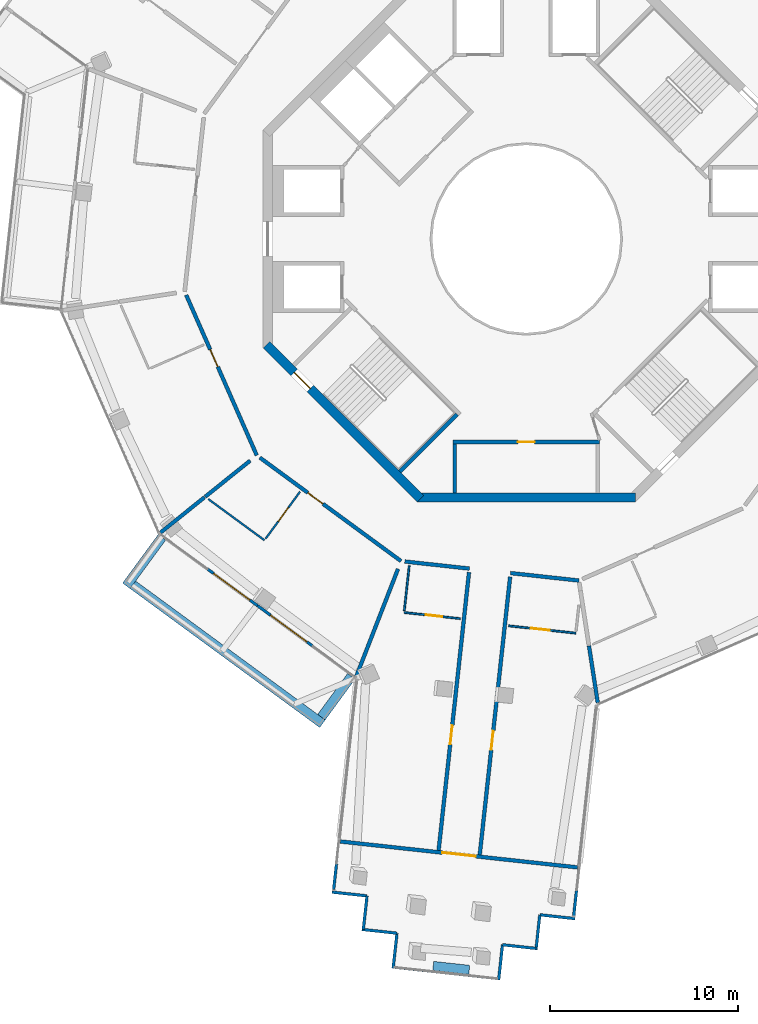
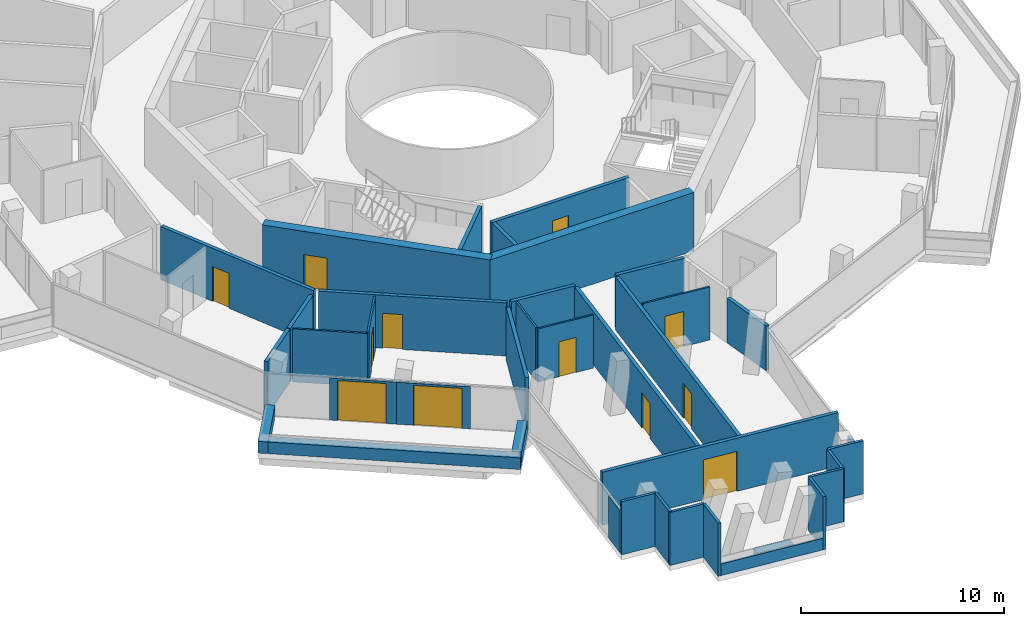
# One storey, part 15 of 22: 38 walls, 12 doors, 12 openings.
"""IFC4 building model written with IfcOpenShell, lengths in metres."""

from ifc_helpers import new_model, si_unit, direction, frame, frame_2d, origin, place, context, subcontext, project, spatial, rectangle, extrude, material, layer, layer_set, type_object, element, fill, save


model = new_model("IFC4")

# Units and contexts
model_context = context("Model", 3, precision=1e-05, world=origin(), true_north=direction((0.0, 1.0)))
body_context = subcontext(model_context, "Body", "Model", "MODEL_VIEW")
ifc_project = project(units=[si_unit("LENGTHUNIT", "METRE"), si_unit("AREAUNIT", "SQUARE_METRE"), si_unit("VOLUMEUNIT", "CUBIC_METRE"), si_unit("PLANEANGLEUNIT", "RADIAN"), si_unit("MASSUNIT", "GRAM", prefix="KILO")], contexts=[model_context])

# Site, building, storey
site_placement = place(None, origin())
site = spatial("IfcSite", under=ifc_project, at=site_placement, CompositionType="ELEMENT")
building_placement = place(site_placement, origin())
building = spatial("IfcBuilding", under=site, at=building_placement, Name="Verdalira Terraces Hotel", CompositionType="ELEMENT")
storey_placement = place(building_placement, frame((0.0, 0.0, 252.5)))
storey = spatial("IfcBuildingStorey", under=building, at=storey_placement, Name="L62", CompositionType="ELEMENT", Elevation=252.5)

# Walls
ifc_material_1 = material(Name="Concrete C40", Category="concrete")
ifc_layer_1 = layer(ifc_material_1, 0.5)
ifc_layer_set_1 = layer_set([ifc_layer_1], Name="Balcony planter trough with tree")
wall_type_1 = type_object("IfcWallType", Name="Balcony planter trough with tree", PredefinedType="SOLIDWALL", material=ifc_layer_set_1)
wall_1_placement = place(storey_placement, frame((-19.382324, -15.871582, 0.0), z_axis=(0.0, 0.0, 1.0), x_axis=(-0.591171745, -0.806545701, 0.0)))
element("IfcWall", 1, at=wall_1_placement, inside=storey, type_object=wall_type_1, Name="Balcony planter", PredefinedType="SOLIDWALL", context=body_context, shape_type="SweptSolid", body=[
    extrude(rectangle(XDim=3.198975, YDim=0.5, at=frame_2d((1.599609, 0.0))), origin(), (0.0, 0.0, 1.0), 0.699951),
])
wall_2_placement = place(storey_placement, frame((-20.924072, -18.397705, 0.0), z_axis=(0.0, 0.0, 1.0), x_axis=(0.80655151, -0.59116382, 0.0)))
element("IfcWall", 2, at=wall_2_placement, inside=storey, type_object=wall_type_1, Name="Balcony planter", PredefinedType="SOLIDWALL", context=body_context, shape_type="SweptSolid", body=[
    extrude(rectangle(XDim=12.500244, YDim=0.5, at=frame_2d((6.25, 0.0))), origin(), (0.0, 0.0, 1.0), 0.699951),
])
wall_3_placement = place(storey_placement, frame((-10.895996, -25.437988, 0.0), z_axis=(0.0, 0.0, 1.0), x_axis=(0.591163637, 0.806551644, 0.0)))
element("IfcWall", 3, at=wall_3_placement, inside=storey, type_object=wall_type_1, Name="Balcony planter", PredefinedType="SOLIDWALL", context=body_context, shape_type="SweptSolid", body=[
    extrude(rectangle(XDim=2.69873, YDim=0.5, at=frame_2d((1.349365, 0.0))), origin(), (0.0, 0.0, 1.0), 0.699951),
])
ifc_material_2 = material(Name="Moisture-resistant gypsum board partition")
ifc_layer_2 = layer(ifc_material_2, 0.10009765625)
ifc_layer_set_2 = layer_set([ifc_layer_2], Name="Bathroom partition 100 mm")
wall_type_2 = type_object("IfcWallType", Name="Bathroom partition 100 mm", PredefinedType="PARTITIONING", material=ifc_layer_set_2)
wall_4_placement = place(storey_placement, frame((-13.92627, -16.025635, 0.0), z_axis=(0.0, 0.0, 1.0), x_axis=(-0.806587268, 0.59111503, 0.0)))
element("IfcWall", 4, at=wall_4_placement, inside=storey, type_object=wall_type_2, Name="Bathroom partition", PredefinedType="PARTITIONING", context=body_context, shape_type="SweptSolid", body=[
    extrude(rectangle(XDim=3.703857, YDim=0.100098, at=frame_2d((1.852051, 0.0))), origin(), (0.0, 0.0, 1.0), 3.189941),
])

# Wall, opening, door
wall_5_placement = place(storey_placement, frame((-13.867188, -15.945068, 0.0), z_axis=(0.0, 0.0, 1.0), x_axis=(0.591155368, 0.806557704, 0.0)))
wall_5 = element("IfcWall", 5, at=wall_5_placement, inside=storey, type_object=wall_type_2, Name="Bathroom partition", PredefinedType="PARTITIONING", context=body_context, shape_type="SweptSolid", body=[
    extrude(rectangle(XDim=3.099854, YDim=0.100098, at=frame_2d((1.549805, 0.0))), origin(), (0.0, 0.0, 1.0), 3.189941),
])
opening_1_placement = place(wall_5_placement, frame((1.149902, 0.0, 0.0)))
opening_1 = element("IfcOpeningElement", 6, at=opening_1_placement, cuts=wall_5, Name="Opening L62-109", PredefinedType="OPENING", context=body_context, shape_type="SweptSolid", body=[
    extrude(rectangle(XDim=0.899902, YDim=2.100098, at=frame_2d((0.449951, 1.050049))), frame((0.0, 0.060059, 0.0), z_axis=(0.0, -1.0, 0.0), x_axis=(1.0, 0.0, 0.0)), (0.0, 0.0, 1.0), 0.120117),
])
ifc_material_3 = material(Name="Timber door", Category="wood")
door_type_1 = type_object("IfcDoorType", Name="Bathroom door 900 x 2100", OperationType="NOTDEFINED", PredefinedType="DOOR", material=ifc_material_3)
door_1_placement = place(opening_1_placement, origin())
door_1 = element("IfcDoor", 7, at=door_1_placement, inside=storey, type_object=door_type_1, Name="Bathroom door 6204", OperationType="SINGLE_SWING_LEFT", OverallHeight=2.10009765625, OverallWidth=0.89990234375, PredefinedType="DOOR", context=body_context, shape_type="SweptSolid", body=[
    extrude(rectangle(XDim=0.899902, YDim=2.100098, at=frame_2d((0.449951, 1.050049))), frame((0.0, 0.024902, 0.0), z_axis=(0.0, -1.0, 0.0), x_axis=(1.0, 0.0, 0.0)), (0.0, 0.0, 1.0), 0.050049),
])
fill(opening_1, door_1)

# Wall
wall_6_placement = place(storey_placement, frame((-6.487305, -19.770264, 0.0), z_axis=(0.0, 0.0, 1.0), x_axis=(0.108644914, 0.994080622, 0.0)))
element("IfcWall", 8, at=wall_6_placement, inside=storey, type_object=wall_type_2, Name="Bathroom partition", PredefinedType="PARTITIONING", context=body_context, shape_type="SweptSolid", body=[
    extrude(rectangle(XDim=2.399902, YDim=0.100098, at=frame_2d((1.199951, 0.0))), origin(), (0.0, 0.0, 1.0), 3.189941),
])

# Wall, opening, door
wall_7_placement = place(storey_placement, frame((-6.498291, -19.869629, 0.0), z_axis=(0.0, 0.0, 1.0), x_axis=(0.994071829, -0.108725335, 0.0)))
wall_7 = element("IfcWall", 9, at=wall_7_placement, inside=storey, type_object=wall_type_2, Name="Bathroom partition", PredefinedType="PARTITIONING", context=body_context, shape_type="SweptSolid", body=[
    extrude(rectangle(XDim=3.0, YDim=0.100098, at=frame_2d((1.5, 0.0))), origin(), (0.0, 0.0, 1.0), 3.189941),
])
opening_2_placement = place(wall_7_placement, frame((1.149902, 0.0, 0.0)))
opening_2 = element("IfcOpeningElement", 10, at=opening_2_placement, cuts=wall_7, Name="Opening L62-111", PredefinedType="OPENING", context=body_context, shape_type="SweptSolid", body=[
    extrude(rectangle(XDim=0.899902, YDim=2.100098, at=frame_2d((0.449951, 1.050049))), frame((0.0, 0.060059, 0.0), z_axis=(0.0, -1.0, 0.0), x_axis=(1.0, 0.0, 0.0)), (0.0, 0.0, 1.0), 0.120117),
])
door_2_placement = place(opening_2_placement, origin())
door_2 = element("IfcDoor", 11, at=door_2_placement, inside=storey, type_object=door_type_1, Name="Bathroom door 6205", OperationType="SINGLE_SWING_LEFT", OverallHeight=2.10009765625, OverallWidth=0.89990234375, PredefinedType="DOOR", context=body_context, shape_type="SweptSolid", body=[
    extrude(rectangle(XDim=0.899902, YDim=2.100098, at=frame_2d((0.449951, 1.050049))), frame((0.0, 0.024902, 0.0), z_axis=(0.0, -1.0, 0.0), x_axis=(1.0, 0.0, 0.0)), (0.0, 0.0, 1.0), 0.050049),
])
fill(opening_2, door_2)

wall_8_placement = place(storey_placement, frame((-0.942383, -20.577881, 0.0), z_axis=(0.0, 0.0, 1.0), x_axis=(0.994081422, -0.10863759, 0.0)))
wall_8 = element("IfcWall", 12, at=wall_8_placement, inside=storey, type_object=wall_type_2, Name="Bathroom partition", PredefinedType="PARTITIONING", context=body_context, shape_type="SweptSolid", body=[
    extrude(rectangle(XDim=3.600098, YDim=0.100098, at=frame_2d((1.800049, 0.0))), origin(), (0.0, 0.0, 1.0), 3.189941),
])
opening_3_placement = place(wall_8_placement, frame((1.199951, 0.0, 0.0)))
opening_3 = element("IfcOpeningElement", 13, at=opening_3_placement, cuts=wall_8, Name="Opening L62-113", PredefinedType="OPENING", context=body_context, shape_type="SweptSolid", body=[
    extrude(rectangle(XDim=1.0, YDim=2.100098, at=frame_2d((0.5, 1.050049))), frame((0.0, 0.060059, 0.0), z_axis=(0.0, -1.0, 0.0), x_axis=(1.0, 0.0, 0.0)), (0.0, 0.0, 1.0), 0.120117),
])
ifc_material_4 = material(Name="Timber door", Category="wood")
door_type_2 = type_object("IfcDoorType", Name="Bathroom door 1000 x 2100", OperationType="NOTDEFINED", PredefinedType="DOOR", material=ifc_material_4)
door_3_placement = place(opening_3_placement, origin())
door_3 = element("IfcDoor", 14, at=door_3_placement, inside=storey, type_object=door_type_2, Name="Bathroom door 6206", OperationType="SINGLE_SWING_RIGHT", OverallHeight=2.10009765625, OverallWidth=1.0, PredefinedType="DOOR", context=body_context, shape_type="SweptSolid", body=[
    extrude(rectangle(XDim=1.0, YDim=2.100098, at=frame_2d((0.5, 1.050049))), frame((0.0, 0.024902, 0.0), z_axis=(0.0, -1.0, 0.0), x_axis=(1.0, 0.0, 0.0)), (0.0, 0.0, 1.0), 0.050049),
])
fill(opening_3, door_3)

ifc_material_5 = material(Name="Concrete C50", Category="concrete")
ifc_layer_3 = layer(ifc_material_5, 0.199951171875)
ifc_layer_set_3 = layer_set([ifc_layer_3], Name="Core RC wall 200 C50")
wall_type_3 = type_object("IfcWallType", Name="Core RC wall 200 C50", PredefinedType="SOLIDWALL", material=ifc_layer_set_3)
wall_9_placement = place(storey_placement, frame((-3.899902, -10.800049, 0.0), z_axis=(0.0, 0.0, 1.0), x_axis=(1.0, 0.0, 0.0)))
wall_9 = element("IfcWall", 15, at=wall_9_placement, inside=storey, type_object=wall_type_3, Name="L62 store front wall", PredefinedType="SOLIDWALL", context=body_context, shape_type="SweptSolid", body=[
    extrude(rectangle(XDim=7.799805, YDim=0.199951, at=frame_2d((3.899902, 0.0))), origin(), (0.0, 0.0, 1.0), 3.189941),
])
opening_4_placement = place(wall_9_placement, frame((3.449951, 0.0, 0.0)))
opening_4 = element("IfcOpeningElement", 16, at=opening_4_placement, cuts=wall_9, Name="Opening L62-801", PredefinedType="OPENING", context=body_context, shape_type="SweptSolid", body=[
    extrude(rectangle(XDim=0.899902, YDim=2.100098, at=frame_2d((0.449951, 1.050049))), frame((0.0, 0.109863, 0.0), z_axis=(0.0, -1.0, 0.0), x_axis=(1.0, 0.0, 0.0)), (0.0, 0.0, 1.0), 0.219971),
])
ifc_material_6 = material(Name="Steel fire door", Category="steel")
door_type_3 = type_object("IfcDoorType", Name="Core room door 900 x 2100", OperationType="NOTDEFINED", PredefinedType="DOOR", material=ifc_material_6)
door_4_placement = place(opening_4_placement, origin())
door_4 = element("IfcDoor", 17, at=door_4_placement, inside=storey, type_object=door_type_3, Name="Store door L62 SS", OperationType="SINGLE_SWING_LEFT", OverallHeight=2.10009765625, OverallWidth=0.89990234375, PredefinedType="DOOR", context=body_context, shape_type="SweptSolid", body=[
    extrude(rectangle(XDim=0.899902, YDim=2.100098, at=frame_2d((0.449951, 1.050049))), frame((0.0, 0.024902, 0.0), z_axis=(0.0, -1.0, 0.0), x_axis=(1.0, 0.0, 0.0)), (0.0, 0.0, 1.0), 0.050049),
])
fill(opening_4, door_4)

# Walls
wall_10_placement = place(storey_placement, frame((-3.800049, -10.899902, 0.0), z_axis=(0.0, 0.0, 1.0), x_axis=(0.0, -1.0, 0.0)))
element("IfcWall", 18, at=wall_10_placement, inside=storey, type_object=wall_type_3, Name="L62 store side wall", PredefinedType="SOLIDWALL", context=body_context, shape_type="SweptSolid", body=[
    extrude(rectangle(XDim=2.600098, YDim=0.199951, at=frame_2d((1.300049, 0.0))), origin(), (0.0, 0.0, 1.0), 3.189941),
])
wall_11_placement = place(storey_placement, frame((-3.677002, -9.33374, 0.0), z_axis=(0.0, 0.0, 1.0), x_axis=(-0.707078393, -0.707135168, 0.0)))
element("IfcWall", 19, at=wall_11_placement, inside=storey, type_object=wall_type_3, Name="L62 stair ST2 end wall 2", PredefinedType="SOLIDWALL", context=body_context, shape_type="SweptSolid", body=[
    extrude(rectangle(XDim=4.300049, YDim=0.199951, at=frame_2d((2.149902, 0.0))), origin(), (0.0, 0.0, 1.0), 3.189941),
])

# Wall, opening, door
ifc_material_7 = material(Name="Concrete C50", Category="concrete")
ifc_layer_4 = layer(ifc_material_7, 0.5)
ifc_layer_set_4 = layer_set([ifc_layer_4], Name="Core wall 500 C50")
wall_type_4 = type_object("IfcWallType", Name="Core wall 500 C50", PredefinedType="SHEAR", material=ifc_layer_set_4)
wall_12_placement = place(storey_placement, frame((-13.823242, -5.622314, 0.0), z_axis=(0.0, 0.0, 1.0), x_axis=(0.707106781, -0.707106781, 0.0)))
wall_12 = element("IfcWall", 20, at=wall_12_placement, inside=storey, type_object=wall_type_4, Name="Core wall CW-L62-6", PredefinedType="SHEAR", context=body_context, shape_type="SweptSolid", body=[
    extrude(rectangle(XDim=11.5979, YDim=0.5, at=frame_2d((5.798828, 0.0))), origin(), (0.0, 0.0, 1.0), 3.5),
])
opening_5_placement = place(wall_12_placement, frame((2.099121, 0.0, 0.0)))
opening_5 = element("IfcOpeningElement", 21, at=opening_5_placement, cuts=wall_12, Name="Opening L62-817", PredefinedType="OPENING", context=body_context, shape_type="SweptSolid", body=[
    extrude(rectangle(XDim=1.199951, YDim=2.100098, at=frame_2d((0.600098, 1.050049))), frame((0.0, 0.26001, 0.0), z_axis=(0.0, -1.0, 0.0), x_axis=(1.0, 0.0, 0.0)), (0.0, 0.0, 1.0), 0.52002),
])
ifc_material_8 = material(Name="Steel fire door", Category="steel")
door_type_4 = type_object("IfcDoorType", Name="Stair door 1200 x 2100", OperationType="NOTDEFINED", PredefinedType="DOOR", material=ifc_material_8)
door_5_placement = place(opening_5_placement, origin())
door_5 = element("IfcDoor", 22, at=door_5_placement, inside=storey, type_object=door_type_4, Name="Stair exit door ST2 L62", OperationType="SINGLE_SWING_LEFT", OverallHeight=2.10009765625, OverallWidth=1.199951171875, PredefinedType="DOOR", context=body_context, shape_type="SweptSolid", body=[
    extrude(rectangle(XDim=1.199951, YDim=2.100098, at=frame_2d((0.600098, 1.050049))), frame((0.0, 0.024902, 0.0), z_axis=(0.0, -1.0, 0.0), x_axis=(1.0, 0.0, 0.0)), (0.0, 0.0, 1.0), 0.050049),
])
fill(opening_5, door_5)

# Walls
wall_13_placement = place(storey_placement, frame((-5.799072, -13.75, 0.0), z_axis=(0.0, 0.0, 1.0), x_axis=(1.0, 0.0, 0.0)))
element("IfcWall", 23, at=wall_13_placement, inside=storey, type_object=wall_type_4, Name="Core wall CW-L62-7", PredefinedType="SHEAR", context=body_context, shape_type="SweptSolid", body=[
    extrude(rectangle(XDim=11.598145, YDim=0.5, at=frame_2d((5.799072, 0.0))), origin(), (0.0, 0.0, 1.0), 3.5),
])
ifc_material_9 = material(Name="Fire-rated gypsum board wall")
ifc_layer_5 = layer(ifc_material_9, 0.199951171875)
ifc_layer_set_5 = layer_set([ifc_layer_5], Name="Demising wall 200 mm")
wall_type_5 = type_object("IfcWallType", Name="Demising wall 200 mm", PredefinedType="SOLIDWALL", material=ifc_layer_set_5)
wall_14_placement = place(storey_placement, frame((-17.118164, -13.743652, 0.0), z_axis=(0.0, 0.0, 1.0), x_axis=(-0.779776076, -0.626058521, 0.0)))
element("IfcWall", 24, at=wall_14_placement, inside=storey, type_object=wall_type_5, Name="Demising wall", PredefinedType="SOLIDWALL", context=body_context, shape_type="SweptSolid", body=[
    extrude(rectangle(XDim=3.01123, YDim=0.199951, at=frame_2d((1.505615, 0.0))), origin(), (0.0, 0.0, 1.0), 3.189941),
])
wall_15_placement = place(storey_placement, frame((-14.684814, -11.790039, 0.0), z_axis=(0.0, 0.0, 1.0), x_axis=(-0.77978304, -0.626049846, 0.0)))
element("IfcWall", 25, at=wall_15_placement, inside=storey, type_object=wall_type_5, Name="Demising wall", PredefinedType="SOLIDWALL", context=body_context, shape_type="SweptSolid", body=[
    extrude(rectangle(XDim=3.074463, YDim=0.199951, at=frame_2d((1.537109, 0.0))), origin(), (0.0, 0.0, 1.0), 3.189941),
])
wall_16_placement = place(storey_placement, frame((-6.82251, -17.552734, 0.0), z_axis=(0.0, 0.0, 1.0), x_axis=(-0.362263731, -0.932075635, 0.0)))
element("IfcWall", 26, at=wall_16_placement, inside=storey, type_object=wall_type_5, Name="Demising wall", PredefinedType="SOLIDWALL", context=body_context, shape_type="SweptSolid", body=[
    extrude(rectangle(XDim=6.13208, YDim=0.199951, at=frame_2d((3.065918, 0.0))), origin(), (0.0, 0.0, 1.0), 3.189941),
])
ifc_material_10 = material(Name="Fire-rated gypsum board wall")
ifc_layer_6 = layer(ifc_material_10, 0.199951171875)
ifc_layer_set_6 = layer_set([ifc_layer_6], Name="Demising wall 200 mm to beam soffit")
wall_type_6 = type_object("IfcWallType", Name="Demising wall 200 mm to beam soffit", PredefinedType="SOLIDWALL", material=ifc_layer_set_6)
wall_17_placement = place(storey_placement, frame((3.335693, -21.647217, 0.0), z_axis=(0.0, 0.0, 1.0), x_axis=(0.152320858, -0.988331096, 0.0)))
element("IfcWall", 27, at=wall_17_placement, inside=storey, type_object=wall_type_6, Name="Demising wall", PredefinedType="SOLIDWALL", context=body_context, shape_type="SweptSolid", body=[
    extrude(rectangle(XDim=3.061279, YDim=0.199951, at=frame_2d((1.530762, 0.0))), origin(), (0.0, 0.0, 1.0), 2.689941),
])

# Wall, opening, door
ifc_material_11 = material(Name="Fire-rated gypsum board wall")
ifc_layer_7 = layer(ifc_material_11, 0.199951171875)
ifc_layer_set_7 = layer_set([ifc_layer_7], Name="Guest corridor wall 200 mm")
wall_type_7 = type_object("IfcWallType", Name="Guest corridor wall 200 mm", PredefinedType="SOLIDWALL", material=ifc_layer_set_7)
wall_18_placement = place(storey_placement, frame((-14.335938, -11.51001, 0.0), z_axis=(0.0, 0.0, 1.0), x_axis=(-0.402894922, 0.915246241, 0.0)))
wall_18 = element("IfcWall", 28, at=wall_18_placement, inside=storey, type_object=wall_type_7, Name="Guest corridor wall", PredefinedType="SOLIDWALL", context=body_context, shape_type="SweptSolid", body=[
    extrude(rectangle(XDim=9.31665, YDim=0.199951, at=frame_2d((4.658203, 0.0))), origin(), (0.0, 0.0, 1.0), 3.189941),
])
opening_6_placement = place(wall_18_placement, frame((5.149902, 0.0, 0.0)))
opening_6 = element("IfcOpeningElement", 29, at=opening_6_placement, cuts=wall_18, Name="Opening L62-106", PredefinedType="OPENING", context=body_context, shape_type="SweptSolid", body=[
    extrude(rectangle(XDim=1.0, YDim=2.100098, at=frame_2d((0.5, 1.050049))), frame((0.0, 0.109863, 0.0), z_axis=(0.0, -1.0, 0.0), x_axis=(1.0, 0.0, 0.0)), (0.0, 0.0, 1.0), 0.219971),
])
ifc_material_12 = material(Name="Timber fire door", Category="wood")
door_type_5 = type_object("IfcDoorType", Name="Guest entry door 1000 x 2100", OperationType="NOTDEFINED", PredefinedType="DOOR", material=ifc_material_12)
door_6_placement = place(opening_6_placement, origin())
door_6 = element("IfcDoor", 30, at=door_6_placement, inside=storey, type_object=door_type_5, Name="Guest entry door 6203", OperationType="SINGLE_SWING_LEFT", OverallHeight=2.10009765625, OverallWidth=1.0, PredefinedType="DOOR", context=body_context, shape_type="SweptSolid", body=[
    extrude(rectangle(XDim=1.0, YDim=2.100098, at=frame_2d((0.5, 1.050049))), frame((0.0, 0.024902, 0.0), z_axis=(0.0, -1.0, 0.0), x_axis=(1.0, 0.0, 0.0)), (0.0, 0.0, 1.0), 0.050049),
])
fill(opening_6, door_6)

wall_19_placement = place(storey_placement, frame((-6.6604, -17.135986, 0.0), z_axis=(0.0, 0.0, 1.0), x_axis=(-0.806536607, 0.591184152, 0.0)))
wall_19 = element("IfcWall", 31, at=wall_19_placement, inside=storey, type_object=wall_type_7, Name="Guest corridor wall", PredefinedType="SOLIDWALL", context=body_context, shape_type="SweptSolid", body=[
    extrude(rectangle(XDim=9.31665, YDim=0.199951, at=frame_2d((4.658203, 0.0))), origin(), (0.0, 0.0, 1.0), 3.189941),
])
opening_7_placement = place(wall_19_placement, frame((5.149902, 0.0, 0.0)))
opening_7 = element("IfcOpeningElement", 32, at=opening_7_placement, cuts=wall_19, Name="Opening L62-108", PredefinedType="OPENING", context=body_context, shape_type="SweptSolid", body=[
    extrude(rectangle(XDim=1.0, YDim=2.100098, at=frame_2d((0.5, 1.050049))), frame((0.0, 0.109863, 0.0), z_axis=(0.0, -1.0, 0.0), x_axis=(1.0, 0.0, 0.0)), (0.0, 0.0, 1.0), 0.219971),
])
door_7_placement = place(opening_7_placement, origin())
door_7 = element("IfcDoor", 33, at=door_7_placement, inside=storey, type_object=door_type_5, Name="Guest entry door 6204", OperationType="SINGLE_SWING_LEFT", OverallHeight=2.10009765625, OverallWidth=1.0, PredefinedType="DOOR", context=body_context, shape_type="SweptSolid", body=[
    extrude(rectangle(XDim=1.0, YDim=2.100098, at=frame_2d((0.5, 1.050049))), frame((0.0, 0.024902, 0.0), z_axis=(0.0, -1.0, 0.0), x_axis=(1.0, 0.0, 0.0)), (0.0, 0.0, 1.0), 0.050049),
])
fill(opening_7, door_7)

# Wall
wall_20_placement = place(storey_placement, frame((-6.461426, -17.157715, 0.0), z_axis=(0.0, 0.0, 1.0), x_axis=(0.994072526, -0.108718961, 0.0)))
element("IfcWall", 34, at=wall_20_placement, inside=storey, type_object=wall_type_7, Name="Guest corridor wall", PredefinedType="SOLIDWALL", context=body_context, shape_type="SweptSolid", body=[
    extrude(rectangle(XDim=3.458252, YDim=0.199951, at=frame_2d((1.729004, 0.0))), origin(), (0.0, 0.0, 1.0), 3.189941),
])

# Wall, opening, door
wall_21_placement = place(storey_placement, frame((-4.664551, -32.541016, 0.0), z_axis=(0.0, 0.0, 1.0), x_axis=(0.108690152, 0.994075677, 0.0)))
wall_21 = element("IfcWall", 35, at=wall_21_placement, inside=storey, type_object=wall_type_7, Name="Guest corridor wall", PredefinedType="SOLIDWALL", context=body_context, shape_type="SweptSolid", body=[
    extrude(rectangle(XDim=14.896729, YDim=0.199951, at=frame_2d((7.448242, 0.0))), origin(), (0.0, 0.0, 1.0), 3.189941),
])
opening_8_placement = place(wall_21_placement, frame((5.699951, 0.0, 0.0)))
opening_8 = element("IfcOpeningElement", 36, at=opening_8_placement, cuts=wall_21, Name="Opening L62-110", PredefinedType="OPENING", context=body_context, shape_type="SweptSolid", body=[
    extrude(rectangle(XDim=1.0, YDim=2.100098, at=frame_2d((0.5, 1.050049))), frame((0.0, 0.109863, 0.0), z_axis=(0.0, -1.0, 0.0), x_axis=(1.0, 0.0, 0.0)), (0.0, 0.0, 1.0), 0.219971),
])
door_8_placement = place(opening_8_placement, origin())
door_8 = element("IfcDoor", 37, at=door_8_placement, inside=storey, type_object=door_type_5, Name="Guest entry door 6205", OperationType="SINGLE_SWING_LEFT", OverallHeight=2.10009765625, OverallWidth=1.0, PredefinedType="DOOR", context=body_context, shape_type="SweptSolid", body=[
    extrude(rectangle(XDim=1.0, YDim=2.100098, at=frame_2d((0.5, 1.050049))), frame((0.0, 0.024902, 0.0), z_axis=(0.0, -1.0, 0.0), x_axis=(1.0, 0.0, 0.0)), (0.0, 0.0, 1.0), 0.050049),
])
fill(opening_8, door_8)

wall_22_placement = place(storey_placement, frame((-0.858398, -17.971436, 0.0), z_axis=(0.0, 0.0, 1.0), x_axis=(-0.108706348, -0.994073906, 0.0)))
wall_22 = element("IfcWall", 38, at=wall_22_placement, inside=storey, type_object=wall_type_7, Name="Guest corridor wall", PredefinedType="SOLIDWALL", context=body_context, shape_type="SweptSolid", body=[
    extrude(rectangle(XDim=14.896973, YDim=0.199951, at=frame_2d((7.448486, 0.0))), origin(), (0.0, 0.0, 1.0), 3.189941),
])
opening_9_placement = place(wall_22_placement, frame((8.25, 0.0, 0.0)))
opening_9 = element("IfcOpeningElement", 39, at=opening_9_placement, cuts=wall_22, Name="Opening L62-112", PredefinedType="OPENING", context=body_context, shape_type="SweptSolid", body=[
    extrude(rectangle(XDim=1.0, YDim=2.100098, at=frame_2d((0.5, 1.050049))), frame((0.0, 0.109863, 0.0), z_axis=(0.0, -1.0, 0.0), x_axis=(1.0, 0.0, 0.0)), (0.0, 0.0, 1.0), 0.219971),
])
door_9_placement = place(opening_9_placement, origin())
door_9 = element("IfcDoor", 40, at=door_9_placement, inside=storey, type_object=door_type_5, Name="Guest entry door 6206", OperationType="SINGLE_SWING_RIGHT", OverallHeight=2.10009765625, OverallWidth=1.0, PredefinedType="DOOR", context=body_context, shape_type="SweptSolid", body=[
    extrude(rectangle(XDim=1.0, YDim=2.100098, at=frame_2d((0.5, 1.050049))), frame((0.0, 0.024902, 0.0), z_axis=(0.0, -1.0, 0.0), x_axis=(1.0, 0.0, 0.0)), (0.0, 0.0, 1.0), 0.050049),
])
fill(opening_9, door_9)

# Wall
wall_23_placement = place(storey_placement, frame((-0.83667, -17.772705, 0.0), z_axis=(0.0, 0.0, 1.0), x_axis=(0.994072706, -0.108717317, 0.0)))
element("IfcWall", 41, at=wall_23_placement, inside=storey, type_object=wall_type_7, Name="Guest corridor wall", PredefinedType="SOLIDWALL", context=body_context, shape_type="SweptSolid", body=[
    extrude(rectangle(XDim=3.658203, YDim=0.199951, at=frame_2d((1.829102, 0.0))), origin(), (0.0, 0.0, 1.0), 3.189941),
])

# Wall, opening, door
ifc_material_13 = material(Name="Terracotta cladding", Category="masonry")
ifc_layer_8 = layer(ifc_material_13, 0.199951171875)
ifc_layer_set_8 = layer_set([ifc_layer_8], Name="Loggia back wall 200")
wall_type_8 = type_object("IfcWallType", Name="Loggia back wall 200", PredefinedType="SOLIDWALL", material=ifc_layer_set_8)
wall_24_placement = place(storey_placement, frame((2.732666, -33.430176, 0.0), z_axis=(0.0, 0.0, 1.0), x_axis=(-0.994075619, 0.108690676, 0.0)))
wall_24 = element("IfcWall", 42, at=wall_24_placement, inside=storey, type_object=wall_type_8, Name="Loggia back wall", PredefinedType="SOLIDWALL", context=body_context, shape_type="SweptSolid", body=[
    extrude(rectangle(XDim=12.699951, YDim=0.199951, at=frame_2d((6.350098, 0.0))), origin(), (0.0, 0.0, 1.0), 3.189941),
])
opening_10_placement = place(wall_24_placement, frame((5.449951, 0.0, 0.0)))
opening_10 = element("IfcOpeningElement", 43, at=opening_10_placement, cuts=wall_24, Name="Opening L62-L01", PredefinedType="OPENING", context=body_context, shape_type="SweptSolid", body=[
    extrude(rectangle(XDim=1.800049, YDim=2.399902, at=frame_2d((0.899902, 1.199951))), frame((0.0, 0.109863, 0.0), z_axis=(0.0, -1.0, 0.0), x_axis=(1.0, 0.0, 0.0)), (0.0, 0.0, 1.0), 0.219971),
])
ifc_material_14 = material(Name="Clear glass", Category="glass")
door_type_6 = type_object("IfcDoorType", Name="Garden double door 1800x2400", OperationType="NOTDEFINED", PredefinedType="DOOR", material=ifc_material_14)
door_10_placement = place(opening_10_placement, origin())
door_10 = element("IfcDoor", 44, at=door_10_placement, inside=storey, type_object=door_type_6, Name="Loggia double door", OperationType="DOUBLE_DOOR_SINGLE_SWING", OverallHeight=2.39990234375, OverallWidth=1.800048828125, PredefinedType="DOOR", context=body_context, shape_type="SweptSolid", body=[
    extrude(rectangle(XDim=1.800049, YDim=2.399902, at=frame_2d((0.899902, 1.199951))), frame((0.0, 0.024902, 0.0), z_axis=(0.0, -1.0, 0.0), x_axis=(1.0, 0.0, 0.0)), (0.0, 0.0, 1.0), 0.050049),
])
fill(opening_10, door_10)

# Walls
ifc_material_15 = material(Name="Concrete C40", Category="concrete")
ifc_layer_9 = layer(ifc_material_15, 0.5)
ifc_layer_set_9 = layer_set([ifc_layer_9], Name="Loggia planter trough with tree")
wall_type_9 = type_object("IfcWallType", Name="Loggia planter trough with tree", PredefinedType="SOLIDWALL", material=ifc_layer_set_9)
wall_25_placement = place(storey_placement, frame((-4.95166, -38.676025, 0.0), z_axis=(0.0, 0.0, 1.0), x_axis=(0.994069126, -0.108750048, 0.0)))
element("IfcWall", 45, at=wall_25_placement, inside=storey, type_object=wall_type_9, Name="Loggia planter", PredefinedType="SOLIDWALL", context=body_context, shape_type="SweptSolid", body=[
    extrude(rectangle(XDim=1.928467, YDim=0.5, at=frame_2d((0.964355, 0.0))), origin(), (0.0, 0.0, 1.0), 0.699951),
])
ifc_material_16 = material(Name="Concrete C40", Category="concrete")
ifc_layer_10 = layer(ifc_material_16, 0.10009765625)
ifc_layer_set_10 = layer_set([ifc_layer_10], Name="Loggia upstand 100")
wall_type_10 = type_object("IfcWallType", Name="Loggia upstand 100", PredefinedType="SOLIDWALL", material=ifc_layer_set_10)
wall_26_placement = place(storey_placement, frame((-7.003662, -38.753418, 0.0), z_axis=(0.0, 0.0, 1.0), x_axis=(0.994073341, -0.108711513, 0.0)))
element("IfcWall", 46, at=wall_26_placement, inside=storey, type_object=wall_type_10, Name="Loggia upstand", PredefinedType="SOLIDWALL", context=body_context, shape_type="SweptSolid", body=[
    extrude(rectangle(XDim=5.5, YDim=0.100098, at=frame_2d((2.75, 0.0))), origin(), (0.0, 0.0, 1.0), 0.699951),
])
ifc_material_17 = material(Name="Terracotta cladding", Category="masonry")
ifc_layer_11 = layer(ifc_material_17, 0.14990234375)
ifc_layer_set_11 = layer_set([ifc_layer_11], Name="Terracotta clad wall 150")
wall_type_11 = type_object("IfcWallType", Name="Terracotta clad wall 150", PredefinedType="SOLIDWALL", material=ifc_layer_set_11)
wall_27_placement = place(storey_placement, frame((-10.337402, -34.742432, 0.0), z_axis=(0.0, 0.0, 1.0), x_axis=(0.994085318, -0.108601933, 0.0)))
element("IfcWall", 47, at=wall_27_placement, inside=storey, type_object=wall_type_11, Name="Terracotta cladding wall", PredefinedType="SOLIDWALL", context=body_context, shape_type="SweptSolid", body=[
    extrude(rectangle(XDim=1.874756, YDim=0.149902, at=frame_2d((0.9375, 0.0))), origin(), (0.0, 0.0, 1.0), 3.189941),
])
wall_28_placement = place(storey_placement, frame((-8.473633, -34.946045, 0.0), z_axis=(0.0, 0.0, 1.0), x_axis=(-0.108630267, -0.994082222, 0.0)))
element("IfcWall", 48, at=wall_28_placement, inside=storey, type_object=wall_type_11, Name="Terracotta cladding wall", PredefinedType="SOLIDWALL", context=body_context, shape_type="SweptSolid", body=[
    extrude(rectangle(XDim=1.800293, YDim=0.149902, at=frame_2d((0.900146, 0.0))), origin(), (0.0, 0.0, 1.0), 3.189941),
])
wall_29_placement = place(storey_placement, frame((-8.743896, -36.727295, 0.0), z_axis=(0.0, 0.0, 1.0), x_axis=(0.994072791, -0.10871654, 0.0)))
element("IfcWall", 49, at=wall_29_placement, inside=storey, type_object=wall_type_11, Name="Terracotta cladding wall", PredefinedType="SOLIDWALL", context=body_context, shape_type="SweptSolid", body=[
    extrude(rectangle(XDim=1.875244, YDim=0.149902, at=frame_2d((0.9375, 0.0))), origin(), (0.0, 0.0, 1.0), 3.189941),
])
wall_30_placement = place(storey_placement, frame((-6.879883, -36.931152, 0.0), z_axis=(0.0, 0.0, 1.0), x_axis=(-0.108730612, -0.994071252, 0.0)))
element("IfcWall", 50, at=wall_30_placement, inside=storey, type_object=wall_type_11, Name="Terracotta cladding wall", PredefinedType="SOLIDWALL", context=body_context, shape_type="SweptSolid", body=[
    extrude(rectangle(XDim=1.875, YDim=0.149902, at=frame_2d((0.9375, 0.0))), origin(), (0.0, 0.0, 1.0), 3.189941),
])
wall_31_placement = place(storey_placement, frame((-1.467285, -39.40918, 0.0), z_axis=(0.0, 0.0, 1.0), x_axis=(0.10871654, 0.994072791, 0.0)))
element("IfcWall", 51, at=wall_31_placement, inside=storey, type_object=wall_type_11, Name="Terracotta cladding wall", PredefinedType="SOLIDWALL", context=body_context, shape_type="SweptSolid", body=[
    extrude(rectangle(XDim=1.875244, YDim=0.149902, at=frame_2d((0.9375, 0.0))), origin(), (0.0, 0.0, 1.0), 3.189941),
])
wall_32_placement = place(storey_placement, frame((-1.263428, -37.545166, 0.0), z_axis=(0.0, 0.0, 1.0), x_axis=(0.994065964, -0.108778947, 0.0)))
element("IfcWall", 52, at=wall_32_placement, inside=storey, type_object=wall_type_11, Name="Terracotta cladding wall", PredefinedType="SOLIDWALL", context=body_context, shape_type="SweptSolid", body=[
    extrude(rectangle(XDim=1.800049, YDim=0.149902, at=frame_2d((0.899902, 0.0))), origin(), (0.0, 0.0, 1.0), 3.189941),
])
wall_33_placement = place(storey_placement, frame((0.517822, -37.81543, 0.0), z_axis=(0.0, 0.0, 1.0), x_axis=(0.108730612, 0.994071252, 0.0)))
element("IfcWall", 53, at=wall_33_placement, inside=storey, type_object=wall_type_11, Name="Terracotta cladding wall", PredefinedType="SOLIDWALL", context=body_context, shape_type="SweptSolid", body=[
    extrude(rectangle(XDim=1.875, YDim=0.149902, at=frame_2d((0.9375, 0.0))), origin(), (0.0, 0.0, 1.0), 3.189941),
])
wall_34_placement = place(storey_placement, frame((0.72168, -35.95166, 0.0), z_axis=(0.0, 0.0, 1.0), x_axis=(0.994085318, -0.108601933, 0.0)))
element("IfcWall", 54, at=wall_34_placement, inside=storey, type_object=wall_type_11, Name="Terracotta cladding wall", PredefinedType="SOLIDWALL", context=body_context, shape_type="SweptSolid", body=[
    extrude(rectangle(XDim=1.874756, YDim=0.149902, at=frame_2d((0.9375, 0.0))), origin(), (0.0, 0.0, 1.0), 3.189941),
])
ifc_material_18 = material(Name="Terracotta cladding", Category="masonry")
ifc_layer_12 = layer(ifc_material_18, 0.14990234375)
ifc_layer_set_12 = layer_set([ifc_layer_12], Name="Terracotta column pier 150")
wall_type_12 = type_object("IfcWallType", Name="Terracotta column pier 150", PredefinedType="SOLIDWALL", material=ifc_layer_set_12)
wall_35_placement = place(storey_placement, frame((-10.097168, -33.234619, 0.0), z_axis=(0.0, 0.0, 1.0), x_axis=(-0.108800343, -0.994063622, 0.0)))
element("IfcWall", 55, at=wall_35_placement, inside=storey, type_object=wall_type_12, Name="Terracotta column pier", PredefinedType="SOLIDWALL", context=body_context, shape_type="SweptSolid", body=[
    extrude(rectangle(XDim=1.380127, YDim=0.149902, at=frame_2d((0.689941, 0.0))), origin(), (0.0, 0.0, 1.0), 2.524902),
])
wall_36_placement = place(storey_placement, frame((2.526611, -36.003174, 0.0), z_axis=(0.0, 0.0, 1.0), x_axis=(0.108776478, 0.994066234, 0.0)))
element("IfcWall", 56, at=wall_36_placement, inside=storey, type_object=wall_type_12, Name="Terracotta column pier", PredefinedType="SOLIDWALL", context=body_context, shape_type="SweptSolid", body=[
    extrude(rectangle(XDim=1.360107, YDim=0.149902, at=frame_2d((0.680176, 0.0))), origin(), (0.0, 0.0, 1.0), 2.524902),
])

# Wall, opening, door
ifc_material_19 = material(Name="Terracotta cladding", Category="masonry")
ifc_layer_13 = layer(ifc_material_19, 0.14990234375)
ifc_layer_set_13 = layer_set([ifc_layer_13], Name="Terracotta door pier 150")
wall_type_13 = type_object("IfcWallType", Name="Terracotta door pier 150", PredefinedType="SOLIDWALL", material=ifc_layer_set_13)
wall_37_placement = place(storey_placement, frame((-16.958008, -17.554199, 0.0), z_axis=(0.0, 0.0, 1.0), x_axis=(0.806539039, -0.591180835, 0.0)))
wall_37 = element("IfcWall", 57, at=wall_37_placement, inside=storey, type_object=wall_type_13, Name="Terracotta door pier", PredefinedType="SOLIDWALL", context=body_context, shape_type="SweptSolid", body=[
    extrude(rectangle(XDim=3.300049, YDim=0.149902, at=frame_2d((1.649902, 0.0))), origin(), (0.0, 0.0, 1.0), 2.524902),
])
opening_11_placement = place(wall_37_placement, frame((0.399902, 0.0, 0.0)))
opening_11 = element("IfcOpeningElement", 58, at=opening_11_placement, cuts=wall_37, Name="Opening L62-B06", PredefinedType="OPENING", context=body_context, shape_type="SweptSolid", body=[
    extrude(rectangle(XDim=2.399902, YDim=2.399902, at=frame_2d((1.199951, 1.199951))), frame((0.0, 0.084961, 0.0), z_axis=(0.0, -1.0, 0.0), x_axis=(1.0, 0.0, 0.0)), (0.0, 0.0, 1.0), 0.169922),
])
ifc_material_20 = material(Name="Clear glass", Category="glass")
door_type_7 = type_object("IfcDoorType", Name="Balcony sliding door 2400x2400", OperationType="NOTDEFINED", PredefinedType="DOOR", material=ifc_material_20)
door_11_placement = place(opening_11_placement, origin())
door_11 = element("IfcDoor", 59, at=door_11_placement, inside=storey, type_object=door_type_7, Name="Balcony sliding door", OperationType="SLIDING_TO_RIGHT", OverallHeight=2.39990234375, OverallWidth=2.39990234375, PredefinedType="DOOR", context=body_context, shape_type="SweptSolid", body=[
    extrude(rectangle(XDim=2.399902, YDim=2.399902, at=frame_2d((1.199951, 1.199951))), frame((0.0, 0.024902, 0.0), z_axis=(0.0, -1.0, 0.0), x_axis=(1.0, 0.0, 0.0)), (0.0, 0.0, 1.0), 0.050049),
])
fill(opening_11, door_11)

wall_38_placement = place(storey_placement, frame((-14.296387, -19.505127, 0.0), z_axis=(0.0, 0.0, 1.0), x_axis=(0.806553373, -0.591161278, 0.0)))
wall_38 = element("IfcWall", 60, at=wall_38_placement, inside=storey, type_object=wall_type_13, Name="Terracotta door pier", PredefinedType="SOLIDWALL", context=body_context, shape_type="SweptSolid", body=[
    extrude(rectangle(XDim=3.661133, YDim=0.149902, at=frame_2d((1.830566, 0.0))), origin(), (0.0, 0.0, 1.0), 2.524902),
])
opening_12_placement = place(wall_38_placement, frame((0.861328, 0.0, 0.0)))
opening_12 = element("IfcOpeningElement", 61, at=opening_12_placement, cuts=wall_38, Name="Opening L62-B07", PredefinedType="OPENING", context=body_context, shape_type="SweptSolid", body=[
    extrude(rectangle(XDim=2.399902, YDim=2.399902, at=frame_2d((1.199951, 1.199951))), frame((0.0, 0.084961, 0.0), z_axis=(0.0, -1.0, 0.0), x_axis=(1.0, 0.0, 0.0)), (0.0, 0.0, 1.0), 0.169922),
])
door_12_placement = place(opening_12_placement, origin())
door_12 = element("IfcDoor", 62, at=door_12_placement, inside=storey, type_object=door_type_7, Name="Balcony sliding door", OperationType="SLIDING_TO_LEFT", OverallHeight=2.39990234375, OverallWidth=2.39990234375, PredefinedType="DOOR", context=body_context, shape_type="SweptSolid", body=[
    extrude(rectangle(XDim=2.399902, YDim=2.399902, at=frame_2d((1.199951, 1.199951))), frame((0.0, 0.024902, 0.0), z_axis=(0.0, -1.0, 0.0), x_axis=(1.0, 0.0, 0.0)), (0.0, 0.0, 1.0), 0.050049),
])
fill(opening_12, door_12)

save(model, "model.ifc")
